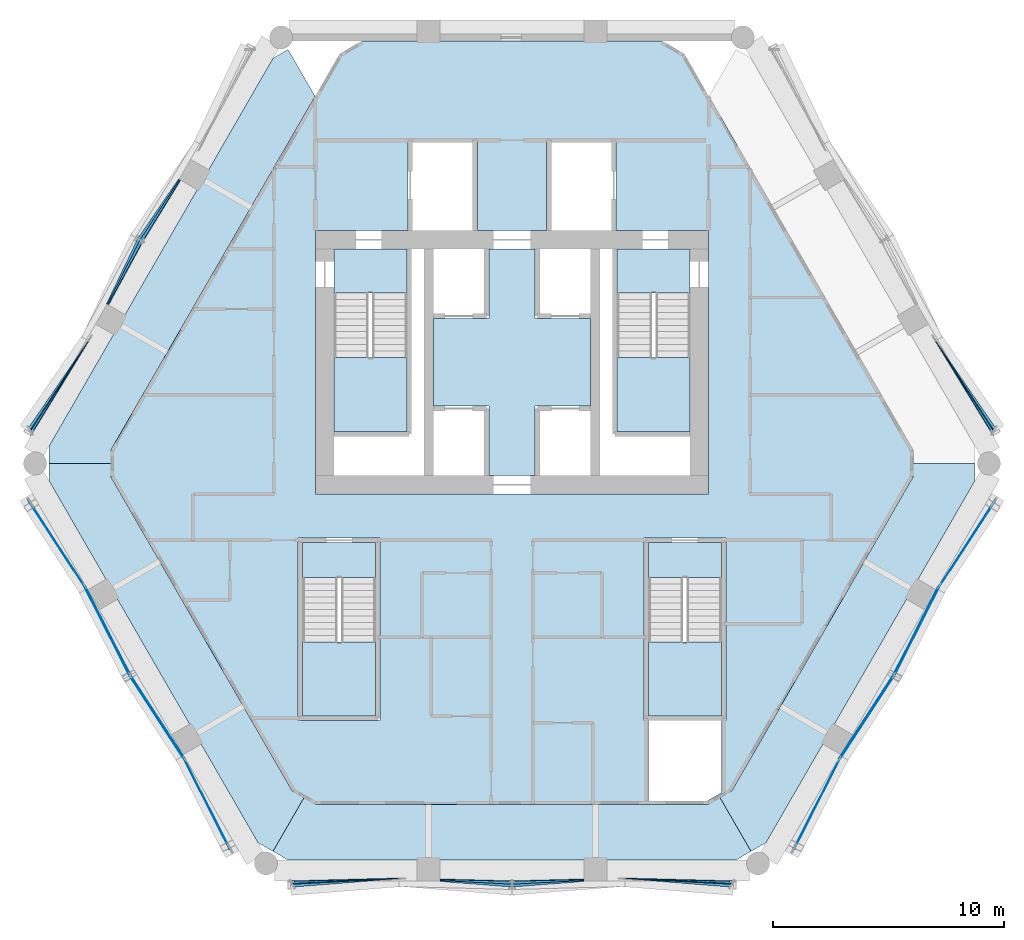
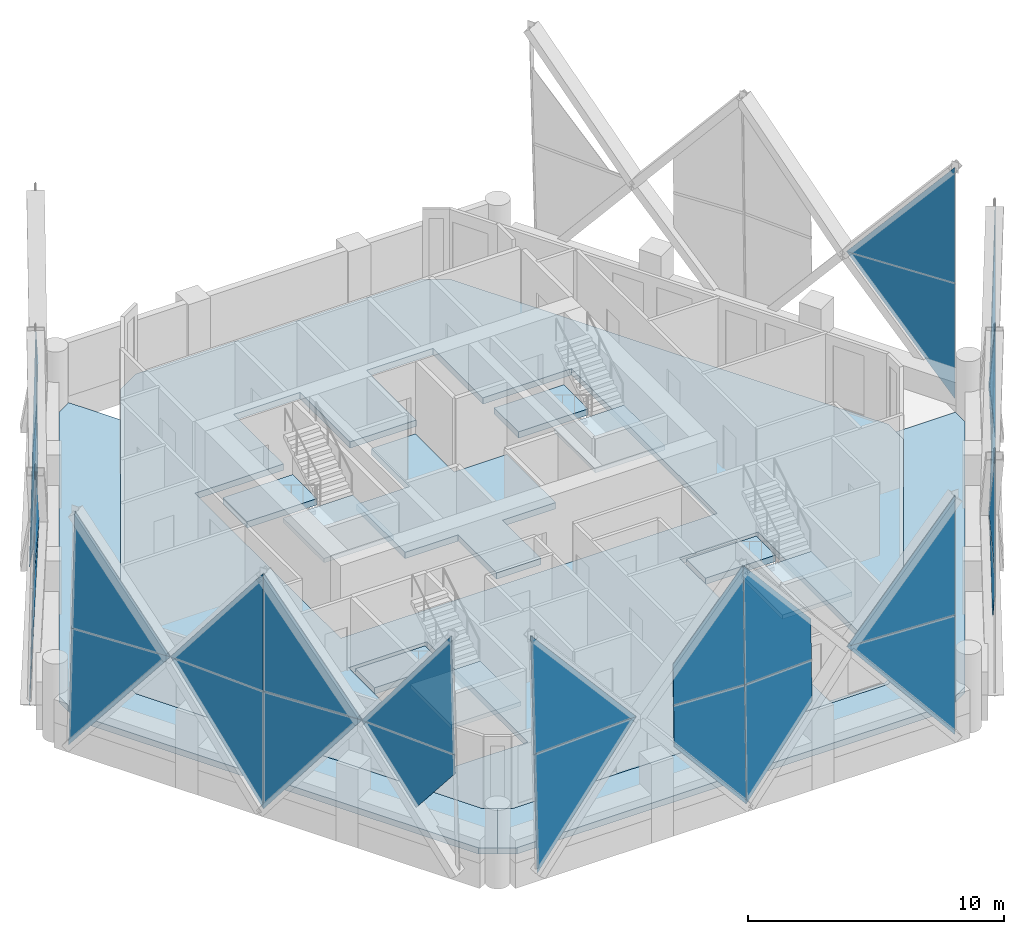
# One storey, part 8 of 18: 32 plates, 14 slabs, 22 elements without a shape of their own.
"""IFC4 building model written with IfcOpenShell, lengths in metres."""

from ifc_helpers import new_model, si_unit, direction, frame, origin, place, context, subcontext, project, spatial, polyline, outline, extrude, material, layer, layer_set, type_object, element, aggregate, save


model = new_model("IFC4")

# Units and contexts
model_context = context("Model", 3, precision=1e-05, world=origin(), true_north=direction((0.0, 1.0)))
body_context = subcontext(model_context, "Body", "Model", "MODEL_VIEW")
ifc_project = project(units=[si_unit("LENGTHUNIT", "METRE"), si_unit("AREAUNIT", "SQUARE_METRE"), si_unit("VOLUMEUNIT", "CUBIC_METRE"), si_unit("PLANEANGLEUNIT", "RADIAN"), si_unit("MASSUNIT", "GRAM", prefix="KILO")], contexts=[model_context])

# Site, building, storey
site_placement = place(None, origin())
site = spatial("IfcSite", under=ifc_project, at=site_placement, CompositionType="ELEMENT")
building_placement = place(site_placement, origin())
building = spatial("IfcBuilding", under=site, at=building_placement, Name="Ostrander Bayou Hotel Tower", CompositionType="ELEMENT")
storey_placement = place(building_placement, frame((0.0, 0.0, 175.75)))
storey = spatial("IfcBuildingStorey", under=building, at=storey_placement, Name="L43", CompositionType="ELEMENT", Elevation=175.75)

# Curtain wall, plate
ifc_material_1 = material(Name="Aluminium and clear glass", Category="aluminium")
curtain_wall_type = type_object("IfcCurtainWallType", Name="CW-LAT lattice glazing", PredefinedType="NOTDEFINED", material=ifc_material_1)
curtain_wall_1_placement = place(storey_placement, origin())
curtain_wall_1 = element("IfcCurtainWall", 1, at=curtain_wall_1_placement, inside=storey, type_object=curtain_wall_type, Name="CW-LAT L43 NW 1", PredefinedType="NOTDEFINED")
ifc_material_2 = material(Name="Clear laminated glass", Category="glass")
ifc_layer_1 = layer(ifc_material_2, 0.028076171875)
ifc_layer_set_1 = layer_set([ifc_layer_1], Name="CW-LA glazing panel 28 mm")
plate_type = type_object("IfcPlateType", Name="CW-LA glazing panel 28 mm", PredefinedType="CURTAIN_PANEL", material=ifc_layer_set_1)
plate_1_placement = place(storey_placement, frame((-14.422119140625, 11.922607421875, 3.085205078125), z_axis=(-0.838697254437, 0.544161384178, 0.021801453393), x_axis=(-0.365776359858, -0.5331962867, -0.762829846309)))
plate_1 = element("IfcPlate", 2, at=plate_1_placement, type_object=plate_type, Name="CW-LAT panel 3", PredefinedType="CURTAIN_PANEL", context=body_context, shape_type="SweptSolid", body=[
    extrude(outline(polyline([(0.0, 0.0), (4.831093711827126, 0.0), (0.5339145409566968, 3.631798718276258), (-1.4796718535850824, 1.2549055686495512), (0.0, 0.0)])), origin(), (0.0, 0.0, -1.0), 0.028076171875),
])

curtain_wall_2_placement = place(storey_placement, origin())
curtain_wall_2 = element("IfcCurtainWall", 3, at=curtain_wall_2_placement, inside=storey, type_object=curtain_wall_type, Name="CW-LAT L43 NW 2", PredefinedType="NOTDEFINED")
plate_2_placement = place(storey_placement, frame((-14.351318359375, 11.8759765625, 6.970703125), z_axis=(-0.838678440724, 0.544191728689, 0.021767762672), x_axis=(-0.337343581448, -0.550442879809, 0.763683143799)))
plate_2 = element("IfcPlate", 4, at=plate_2_placement, type_object=plate_type, Name="CW-LAT panel 4", PredefinedType="CURTAIN_PANEL", context=body_context, shape_type="SweptSolid", body=[
    extrude(outline(polyline([(0.0, 0.0), (4.8177030662212905, -4.440892098500626e-16), (0.5240809133792497, -3.6359961013468416), (-1.4865830380595895, -1.2561881824663583), (0.0, 0.0)])), origin(), (0.0, 0.0, -1.0), 0.028076171875),
])

curtain_wall_3_placement = place(storey_placement, origin())
curtain_wall_3 = element("IfcCurtainWall", 5, at=curtain_wall_3_placement, inside=storey, type_object=curtain_wall_type, Name="CW-LAT L43 NW 3", PredefinedType="NOTDEFINED")
plate_3_placement = place(storey_placement, frame((-17.535888671875, 6.529296875, 3.08447265625), z_axis=(-0.890620174311, 0.454225401847, 0.021794252144), x_axis=(0.278833694601, 0.583325529006, -0.762878167183)))
plate_3 = element("IfcPlate", 6, at=plate_3_placement, type_object=plate_type, Name="CW-LAT panel 5", PredefinedType="CURTAIN_PANEL", context=body_context, shape_type="SweptSolid", body=[
    extrude(outline(polyline([(0.0, 0.0), (4.829829239081901, -8.881784197001252e-16), (0.5325743101683527, -3.631709078484335), (-1.4810786134260479, -1.2543759752823151), (0.0, 0.0)])), origin(), (0.0, 0.0, -1.0), 0.028076171875),
])
aggregate(curtain_wall_3, [plate_3])

curtain_wall_4_placement = place(storey_placement, origin())
curtain_wall_4 = element("IfcCurtainWall", 7, at=curtain_wall_4_placement, inside=storey, type_object=curtain_wall_type, Name="CW-LAT L43 NW 4", PredefinedType="NOTDEFINED")
plate_4_placement = place(storey_placement, frame((-17.461181640625, 6.489501953125, 6.968994140625), z_axis=(-0.890615904453, 0.454234223825, 0.02178487187), x_axis=(0.308041651093, 0.567350207455, 0.763691091537)))
plate_4 = element("IfcPlate", 8, at=plate_4_placement, type_object=plate_type, Name="CW-LAT panel 6", PredefinedType="CURTAIN_PANEL", context=body_context, shape_type="SweptSolid", body=[
    extrude(outline(polyline([(0.0, 0.0), (4.819888071557691, 4.440892098500626e-16), (0.5261781191225632, 3.63589241741572), (-1.484695426589405, 1.2557779628569083), (0.0, 0.0)])), origin(), (0.0, 0.0, -1.0), 0.028076171875),
])
aggregate(curtain_wall_4, [plate_4])

# Plate
plate_5_placement = place(storey_placement, frame((-18.245361328125, 5.04541015625, 5.02490234375), z_axis=(-0.838672071395, 0.544175360541, 0.022412800855), x_axis=(-0.363195696727, -0.528136248414, -0.767568230837)))
plate_5 = element("IfcPlate", 9, at=plate_5_placement, type_object=plate_type, Name="CW-LAT panel 7", PredefinedType="CURTAIN_PANEL", context=body_context, shape_type="SweptSolid", body=[
    extrude(outline(polyline([(0.0, 0.0), (7.328338737868253, -8.881784197001252e-16), (3.049780536249096, 3.654394351309808), (0.0, 0.0)])), origin(), (0.0, 0.0, -1.0), 0.028076171875),
])

aggregate(curtain_wall_1, [plate_1, plate_5])

plate_6_placement = place(storey_placement, frame((-18.245361328125, 5.04541015625, 5.02490234375), z_axis=(-0.838671627201, 0.544175072324, 0.022436407694), x_axis=(-0.340014889443, -0.555315927749, 0.758955924507)))
plate_6 = element("IfcPlate", 10, at=plate_6_placement, type_object=plate_type, Name="CW-LAT panel 8", PredefinedType="CURTAIN_PANEL", context=body_context, shape_type="SweptSolid", body=[
    extrude(outline(polyline([(0.0, 0.0), (7.411497582881008, 0.0), (3.0982495129663206, -3.6133930521841675), (0.0, 0.0)])), origin(), (0.0, 0.0, -1.0), 0.028076171875),
])

aggregate(curtain_wall_2, [plate_2, plate_6])

# Curtain wall, plate
curtain_wall_5_placement = place(storey_placement, origin())
curtain_wall_5 = element("IfcCurtainWall", 11, at=curtain_wall_5_placement, inside=storey, type_object=curtain_wall_type, Name="CW-LAT L43 SW 3", PredefinedType="NOTDEFINED")
plate_7_placement = place(storey_placement, frame((-18.476318359375, -5.677734375, 5.02490234375), z_axis=(0.83821206628, 0.54534279011, 0.001331622457), x_axis=(-0.338345530003, 0.521961530265, -0.782993271523)))
plate_7 = element("IfcPlate", 12, at=plate_7_placement, type_object=plate_type, Name="CW-LAT panel 1", PredefinedType="CURTAIN_PANEL", context=body_context, shape_type="SweptSolid", body=[
    extrude(outline(polyline([(0.0, 0.0), (7.1839697792826325, -4.440892098500626e-16), (2.6917066279703885, 3.388248830722115), (0.0, 0.0)])), origin(), (0.0, 0.0, -1.0), 0.028076171875),
])

curtain_wall_6_placement = place(storey_placement, origin())
curtain_wall_6 = element("IfcCurtainWall", 13, at=curtain_wall_6_placement, inside=storey, type_object=curtain_wall_type, Name="CW-LAT L43 SW 4", PredefinedType="NOTDEFINED")
plate_8_placement = place(storey_placement, frame((-18.476318359375, -5.677734375, 5.02490234375), z_axis=(0.838212039626, 0.545342772768, 0.001355291806), x_axis=(-0.326472312106, 0.499806267914, 0.802252780601)))
plate_8 = element("IfcPlate", 14, at=plate_8_placement, type_object=plate_type, Name="CW-LAT panel 2", PredefinedType="CURTAIN_PANEL", context=body_context, shape_type="SweptSolid", body=[
    extrude(outline(polyline([(0.0, 0.0), (7.011505769773077, 0.0), (2.583325950003996, -3.4715906650965414), (0.0, 0.0)])), origin(), (0.0, 0.0, -1.0), 0.028076171875),
])

curtain_wall_7_placement = place(storey_placement, origin())
curtain_wall_7 = element("IfcCurtainWall", 15, at=curtain_wall_7_placement, inside=storey, type_object=curtain_wall_type, Name="CW-LAT L43 SW 1", PredefinedType="NOTDEFINED")
plate_9_placement = place(storey_placement, frame((-18.476318359375, -5.677734375, 5.02490234375), z_axis=(-0.891394016233, -0.453229200101, 0.0), x_axis=(0.276347020175, -0.543508847473, -0.792609902259)))
plate_9 = element("IfcPlate", 16, at=plate_9_placement, type_object=plate_type, Name="CW-LAT panel 3", PredefinedType="CURTAIN_PANEL", context=body_context, shape_type="SweptSolid", body=[
    extrude(outline(polyline([(0.0, 0.0), (7.096807627524, 0.0), (2.6383769273192836, 3.4297260373785075), (0.0, 0.0)])), origin(), (0.0, 0.0, -1.0), 0.028076171875),
])

curtain_wall_8_placement = place(storey_placement, origin())
curtain_wall_8 = element("IfcCurtainWall", 17, at=curtain_wall_8_placement, inside=storey, type_object=curtain_wall_type, Name="CW-LAT L43 SW 2", PredefinedType="NOTDEFINED")
plate_10_placement = place(storey_placement, frame((-18.476318359375, -5.677734375, 5.02490234375), z_axis=(0.891394016233, 0.453229200101, 0.0), x_axis=(0.276347020175, -0.543508847473, 0.792609902259)))
plate_10 = element("IfcPlate", 18, at=plate_10_placement, type_object=plate_type, Name="CW-LAT panel 4", PredefinedType="CURTAIN_PANEL", context=body_context, shape_type="SweptSolid", body=[
    extrude(outline(polyline([(0.0, 0.0), (7.096807627524, 0.0), (2.6383769273192836, 3.4297260373785075), (0.0, 0.0)])), origin(), (0.0, 0.0, -1.0), 0.028076171875),
])

# Plate
plate_11_placement = place(storey_placement, frame((-14.1552734375, -13.162109375, 5.02490234375), z_axis=(0.838212809447, 0.545343273616, 0.0), x_axis=(-0.332519799468, 0.51109524733, -0.792598404691)))
plate_11 = element("IfcPlate", 19, at=plate_11_placement, type_object=plate_type, Name="CW-LAT panel 5", PredefinedType="CURTAIN_PANEL", context=body_context, shape_type="SweptSolid", body=[
    extrude(outline(polyline([(0.0, 0.0), (7.096910575028369, -4.440892098500626e-16), (2.6385445486432157, 3.429810107684485), (0.0, 0.0)])), origin(), (0.0, 0.0, -1.0), 0.028076171875),
])

aggregate(curtain_wall_5, [plate_7, plate_11])

plate_12_placement = place(storey_placement, frame((-14.1552734375, -13.162109375, 5.02490234375), z_axis=(-0.838212809447, -0.545343273616, 0.0), x_axis=(-0.332519799468, 0.51109524733, 0.792598404691)))
plate_12 = element("IfcPlate", 20, at=plate_12_placement, type_object=plate_type, Name="CW-LAT panel 6", PredefinedType="CURTAIN_PANEL", context=body_context, shape_type="SweptSolid", body=[
    extrude(outline(polyline([(0.0, 0.0), (7.096910575028369, -4.440892098500626e-16), (2.6385445486432157, 3.429810107684485), (0.0, 0.0)])), origin(), (0.0, 0.0, -1.0), 0.028076171875),
])

aggregate(curtain_wall_6, [plate_8, plate_12])

plate_13_placement = place(storey_placement, frame((-14.1552734375, -13.162109375, 5.02490234375), z_axis=(0.891386966787, 0.45324107013, 0.001344540698), x_axis=(0.45324147979, -0.89138777252, 1.8522e-08)))
plate_13 = element("IfcPlate", 21, at=plate_13_placement, type_object=plate_type, Name="CW-LAT panel 7", PredefinedType="CURTAIN_PANEL", context=body_context, shape_type="SweptSolid", body=[
    extrude(outline(polyline([(0.0, 0.0), (4.327129937791268, 0.0), (4.349958231514912, 0.8967294067454266), (2.541648522806104, 3.1992216086901086), (0.0, 0.0)])), origin(), (0.0, 0.0, -1.0), 0.028076171875),
])

aggregate(curtain_wall_7, [plate_9, plate_13])

plate_14_placement = place(storey_placement, frame((-14.1552734375, -13.162109375, 5.02490234375), z_axis=(0.891393233656, 0.4532288022, 0.001325084646), x_axis=(0.269615344054, -0.532614787893, 0.802264952474)))
plate_14 = element("IfcPlate", 22, at=plate_14_placement, type_object=plate_type, Name="CW-LAT panel 8", PredefinedType="CURTAIN_PANEL", context=body_context, shape_type="SweptSolid", body=[
    extrude(outline(polyline([(0.0, 0.0), (7.011399391998459, 0.0), (2.5831545636483098, 3.4715077419452403), (0.0, 0.0)])), origin(), (0.0, 0.0, -1.0), 0.028076171875),
])

aggregate(curtain_wall_8, [plate_10, plate_14])

# Curtain wall, plate
curtain_wall_9_placement = place(storey_placement, origin())
curtain_wall_9 = element("IfcCurtainWall", 23, at=curtain_wall_9_placement, inside=storey, type_object=curtain_wall_type, Name="CW-LAT L43 S 3", PredefinedType="NOTDEFINED")
plate_15_placement = place(storey_placement, frame((-4.75341796875, -18.323486328125, 5.02490234375), z_axis=(0.051948049226, -0.998397404133, 0.022450469989), x_axis=(-0.638954384718, -0.050506014246, -0.767584807545)))
plate_15 = element("IfcPlate", 24, at=plate_15_placement, type_object=plate_type, Name="CW-LAT panel 1", PredefinedType="CURTAIN_PANEL", context=body_context, shape_type="SweptSolid", body=[
    extrude(outline(polyline([(0.0, 0.0), (7.328180475574027, -4.440892098500626e-16), (3.0495521261015837, -3.6543204168882477), (0.0, 0.0)])), origin(), (0.0, 0.0, -1.0), 0.028076171875),
])

curtain_wall_10_placement = place(storey_placement, origin())
curtain_wall_10 = element("IfcCurtainWall", 25, at=curtain_wall_10_placement, inside=storey, type_object=curtain_wall_type, Name="CW-LAT L43 S 4", PredefinedType="NOTDEFINED")
plate_16_placement = place(storey_placement, frame((-4.75341796875, -18.323486328125, 5.02490234375), z_axis=(0.051948046597, -0.998397353592, 0.022452723542), x_axis=(-0.650916524871, -0.016799971037, 0.75896339742)))
plate_16 = element("IfcPlate", 26, at=plate_16_placement, type_object=plate_type, Name="CW-LAT panel 2", PredefinedType="CURTAIN_PANEL", context=body_context, shape_type="SweptSolid", body=[
    extrude(outline(polyline([(0.0, 0.0), (7.411424607722704, 0.0), (3.0980742659588953, 3.6132757605392136), (0.0, 0.0)])), origin(), (0.0, 0.0, -1.0), 0.028076171875),
])

curtain_wall_11_placement = place(storey_placement, origin())
curtain_wall_11 = element("IfcCurtainWall", 27, at=curtain_wall_11_placement, inside=storey, type_object=curtain_wall_type, Name="CW-LAT L43 S 1", PredefinedType="NOTDEFINED")
plate_17_placement = place(storey_placement, frame((-3.113525390625, -18.451171875, 3.08447265625), z_axis=(-0.051944743086, -0.998412092628, 0.021795342626), x_axis=(0.644622719125, -0.050191070053, -0.762851497)))
plate_17 = element("IfcPlate", 28, at=plate_17_placement, type_object=plate_type, Name="CW-LAT panel 3", PredefinedType="CURTAIN_PANEL", context=body_context, shape_type="SweptSolid", body=[
    extrude(outline(polyline([(0.0, 0.0), (4.829997085518711, 4.440892098500626e-16), (0.5327938142518363, 3.6317694801437295), (-1.4809631710938576, 1.2545135285459812), (0.0, 0.0)])), origin(), (0.0, 0.0, -1.0), 0.028076171875),
])

curtain_wall_12_placement = place(storey_placement, origin())
curtain_wall_12 = element("IfcCurtainWall", 29, at=curtain_wall_12_placement, inside=storey, type_object=curtain_wall_type, Name="CW-LAT L43 S 2", PredefinedType="NOTDEFINED")
plate_18_placement = place(storey_placement, frame((-3.110595703125, -18.36669921875, 6.968994140625), z_axis=(-0.051899802868, -0.998414804955, 0.021778147507), x_axis=(0.645363160478, -0.016889258243, 0.763689167171)))
plate_18 = element("IfcPlate", 30, at=plate_18_placement, type_object=plate_type, Name="CW-LAT panel 4", PredefinedType="CURTAIN_PANEL", context=body_context, shape_type="SweptSolid", body=[
    extrude(outline(polyline([(0.0, 0.0), (4.819906670917352, 4.440892098500626e-16), (0.5262291526739247, -3.63593713774969), (-1.4847563018333814, -1.2556978239762933), (0.0, 0.0)])), origin(), (0.0, 0.0, -1.0), 0.028076171875),
])

# Plate
plate_19_placement = place(storey_placement, frame((3.1142578125, -18.451171875, 3.085205078125), z_axis=(0.051932910561, -0.998412515586, 0.02180416293), x_axis=(-0.644636241797, -0.050190602933, -0.762840100636)))
plate_19 = element("IfcPlate", 31, at=plate_19_placement, type_object=plate_type, Name="CW-LAT panel 5", PredefinedType="CURTAIN_PANEL", context=body_context, shape_type="SweptSolid", body=[
    extrude(outline(polyline([(0.0, 0.0), (4.83102795121644, 0.0), (0.5338888418579075, -3.631845396591186), (-1.4797527594527287, -1.2548112336574089), (0.0, 0.0)])), origin(), (0.0, 0.0, -1.0), 0.028076171875),
])

aggregate(curtain_wall_9, [plate_15, plate_19])

plate_20_placement = place(storey_placement, frame((3.109130859375, -18.36669921875, 6.970703125), z_axis=(0.051911136589, -0.998414177169, 0.02177991564), x_axis=(-0.645360681756, -0.016895070631, 0.763691133268)))
plate_20 = element("IfcPlate", 32, at=plate_20_placement, type_object=plate_type, Name="CW-LAT panel 6", PredefinedType="CURTAIN_PANEL", context=body_context, shape_type="SweptSolid", body=[
    extrude(outline(polyline([(0.0, 0.0), (4.817656181403324, 0.0), (0.5239683176424226, 3.635924920973059), (-1.4866952468412291, 1.2560520090796938), (0.0, 0.0)])), origin(), (0.0, 0.0, -1.0), 0.028076171875),
])

aggregate(curtain_wall_10, [plate_16, plate_20])

plate_21_placement = place(storey_placement, frame((4.75341796875, -18.323486328125, 5.02490234375), z_axis=(-0.051948049226, -0.998397404133, 0.022450469989), x_axis=(0.638954384718, -0.050506014246, -0.767584807545)))
plate_21 = element("IfcPlate", 33, at=plate_21_placement, type_object=plate_type, Name="CW-LAT panel 7", PredefinedType="CURTAIN_PANEL", context=body_context, shape_type="SweptSolid", body=[
    extrude(outline(polyline([(0.0, 0.0), (7.328180475574027, 4.440892098500626e-16), (3.0495521261015837, 3.6543204168882477), (0.0, 0.0)])), origin(), (0.0, 0.0, -1.0), 0.028076171875),
])

aggregate(curtain_wall_11, [plate_17, plate_21])

plate_22_placement = place(storey_placement, frame((4.75341796875, -18.323486328125, 5.02490234375), z_axis=(-0.051948046597, -0.998397353592, 0.022452723542), x_axis=(0.650916524871, -0.016799971037, 0.75896339742)))
plate_22 = element("IfcPlate", 34, at=plate_22_placement, type_object=plate_type, Name="CW-LAT panel 8", PredefinedType="CURTAIN_PANEL", context=body_context, shape_type="SweptSolid", body=[
    extrude(outline(polyline([(0.0, 0.0), (7.411424607722704, 0.0), (3.0980742659588953, -3.6132757605392136), (0.0, 0.0)])), origin(), (0.0, 0.0, -1.0), 0.028076171875),
])

aggregate(curtain_wall_12, [plate_18, plate_22])

# Curtain wall, plate
curtain_wall_13_placement = place(storey_placement, origin())
curtain_wall_13 = element("IfcCurtainWall", 35, at=curtain_wall_13_placement, inside=storey, type_object=curtain_wall_type, Name="CW-LAT L43 SE 3", PredefinedType="NOTDEFINED")
plate_23_placement = place(storey_placement, frame((12.99951171875, -15.42578125, 1.82568359375), z_axis=(-0.891386966787, 0.45324107013, 0.001344540698), x_axis=(-0.279004032721, -0.551048851254, 0.786448926032)))
plate_23 = element("IfcPlate", 36, at=plate_23_placement, type_object=plate_type, Name="CW-LAT panel 1", PredefinedType="CURTAIN_PANEL", context=body_context, shape_type="SweptSolid", body=[
    extrude(outline(polyline([(0.0, 0.0), (2.927704620112248, 0.0), (3.618837129591475, 0.5718221876224145), (0.9461661833494703, 3.9748919065149524), (0.0, 0.0)])), origin(), (0.0, 0.0, -1.0), 0.028076171875),
])

curtain_wall_14_placement = place(storey_placement, origin())
curtain_wall_14 = element("IfcCurtainWall", 37, at=curtain_wall_14_placement, inside=storey, type_object=curtain_wall_type, Name="CW-LAT L43 SE 4", PredefinedType="NOTDEFINED")
plate_24_placement = place(storey_placement, frame((14.1552734375, -13.162109375, 5.02490234375), z_axis=(-0.891393233656, 0.4532288022, 0.001325084646), x_axis=(-0.269615344054, -0.532614787893, 0.802264952474)))
plate_24 = element("IfcPlate", 38, at=plate_24_placement, type_object=plate_type, Name="CW-LAT panel 2", PredefinedType="CURTAIN_PANEL", context=body_context, shape_type="SweptSolid", body=[
    extrude(outline(polyline([(0.0, 0.0), (7.011399391998459, 0.0), (2.5831545636483098, -3.4715077419452403), (0.0, 0.0)])), origin(), (0.0, 0.0, -1.0), 0.028076171875),
])

curtain_wall_15_placement = place(storey_placement, origin())
curtain_wall_15 = element("IfcCurtainWall", 39, at=curtain_wall_15_placement, inside=storey, type_object=curtain_wall_type, Name="CW-LAT L43 SE 1", PredefinedType="NOTDEFINED")
plate_25_placement = place(storey_placement, frame((14.1552734375, -13.162109375, 5.02490234375), z_axis=(0.838212809447, -0.545343273616, 0.0), x_axis=(0.332519799468, 0.51109524733, -0.792598404691)))
plate_25 = element("IfcPlate", 40, at=plate_25_placement, type_object=plate_type, Name="CW-LAT panel 3", PredefinedType="CURTAIN_PANEL", context=body_context, shape_type="SweptSolid", body=[
    extrude(outline(polyline([(0.0, 0.0), (7.096910575028369, -4.440892098500626e-16), (2.6385445486432157, 3.429810107684485), (0.0, 0.0)])), origin(), (0.0, 0.0, -1.0), 0.028076171875),
])

curtain_wall_16_placement = place(storey_placement, origin())
curtain_wall_16 = element("IfcCurtainWall", 41, at=curtain_wall_16_placement, inside=storey, type_object=curtain_wall_type, Name="CW-LAT L43 SE 2", PredefinedType="NOTDEFINED")
plate_26_placement = place(storey_placement, frame((14.1552734375, -13.162109375, 5.02490234375), z_axis=(-0.838212809447, 0.545343273616, 0.0), x_axis=(0.332519799468, 0.51109524733, 0.792598404691)))
plate_26 = element("IfcPlate", 42, at=plate_26_placement, type_object=plate_type, Name="CW-LAT panel 4", PredefinedType="CURTAIN_PANEL", context=body_context, shape_type="SweptSolid", body=[
    extrude(outline(polyline([(0.0, 0.0), (7.096910575028369, -4.440892098500626e-16), (2.6385445486432157, 3.429810107684485), (0.0, 0.0)])), origin(), (0.0, 0.0, -1.0), 0.028076171875),
])

# Plate
plate_27_placement = place(storey_placement, frame((18.476318359375, -5.677734375, 5.02490234375), z_axis=(-0.891394016233, 0.453229200101, 0.0), x_axis=(-0.276347020175, -0.543508847473, -0.792609902259)))
plate_27 = element("IfcPlate", 43, at=plate_27_placement, type_object=plate_type, Name="CW-LAT panel 5", PredefinedType="CURTAIN_PANEL", context=body_context, shape_type="SweptSolid", body=[
    extrude(outline(polyline([(0.0, 0.0), (7.096807627524, 0.0), (2.6383769273192836, 3.4297260373785075), (0.0, 0.0)])), origin(), (0.0, 0.0, -1.0), 0.028076171875),
])

aggregate(curtain_wall_13, [plate_23, plate_27])

plate_28_placement = place(storey_placement, frame((18.476318359375, -5.677734375, 5.02490234375), z_axis=(0.891394016233, -0.453229200101, 0.0), x_axis=(-0.276347020175, -0.543508847473, 0.792609902259)))
plate_28 = element("IfcPlate", 44, at=plate_28_placement, type_object=plate_type, Name="CW-LAT panel 6", PredefinedType="CURTAIN_PANEL", context=body_context, shape_type="SweptSolid", body=[
    extrude(outline(polyline([(0.0, 0.0), (7.096807627524, 0.0), (2.6383769273192836, 3.4297260373785075), (0.0, 0.0)])), origin(), (0.0, 0.0, -1.0), 0.028076171875),
])

aggregate(curtain_wall_14, [plate_24, plate_28])

plate_29_placement = place(storey_placement, frame((18.476318359375, -5.677734375, 5.02490234375), z_axis=(-0.83821206628, 0.54534279011, 0.001331622457), x_axis=(0.338345530003, 0.521961530265, -0.782993271523)))
plate_29 = element("IfcPlate", 45, at=plate_29_placement, type_object=plate_type, Name="CW-LAT panel 7", PredefinedType="CURTAIN_PANEL", context=body_context, shape_type="SweptSolid", body=[
    extrude(outline(polyline([(0.0, 0.0), (7.1839697792826325, 4.440892098500626e-16), (2.6917066279703885, -3.388248830722115), (0.0, 0.0)])), origin(), (0.0, 0.0, -1.0), 0.028076171875),
])

aggregate(curtain_wall_15, [plate_25, plate_29])

plate_30_placement = place(storey_placement, frame((18.476318359375, -5.677734375, 5.02490234375), z_axis=(-0.838212039626, 0.545342772768, 0.001355291806), x_axis=(0.326472312106, 0.499806267914, 0.802252780601)))
plate_30 = element("IfcPlate", 46, at=plate_30_placement, type_object=plate_type, Name="CW-LAT panel 8", PredefinedType="CURTAIN_PANEL", context=body_context, shape_type="SweptSolid", body=[
    extrude(outline(polyline([(0.0, 0.0), (7.011505769773077, 0.0), (2.583325950003996, 3.4715906650965414), (0.0, 0.0)])), origin(), (0.0, 0.0, -1.0), 0.028076171875),
])

aggregate(curtain_wall_16, [plate_26, plate_30])

# Curtain wall, plate
curtain_wall_17_placement = place(storey_placement, origin())
curtain_wall_17 = element("IfcCurtainWall", 47, at=curtain_wall_17_placement, inside=storey, type_object=curtain_wall_type, Name="CW-LAT L43 NE 3", PredefinedType="NOTDEFINED")
plate_31_placement = place(storey_placement, frame((18.245361328125, 5.04541015625, 5.02490234375), z_axis=(0.838672071395, 0.544175360541, 0.022412800855), x_axis=(0.363195696727, -0.528136248414, -0.767568230837)))
plate_31 = element("IfcPlate", 48, at=plate_31_placement, type_object=plate_type, Name="CW-LAT panel 1", PredefinedType="CURTAIN_PANEL", context=body_context, shape_type="SweptSolid", body=[
    extrude(outline(polyline([(0.0, 0.0), (7.328338737868253, 8.881784197001252e-16), (3.049780536249096, -3.654394351309808), (0.0, 0.0)])), origin(), (0.0, 0.0, -1.0), 0.028076171875),
])
aggregate(curtain_wall_17, [plate_31])

curtain_wall_18_placement = place(storey_placement, origin())
curtain_wall_18 = element("IfcCurtainWall", 49, at=curtain_wall_18_placement, inside=storey, type_object=curtain_wall_type, Name="CW-LAT L43 NE 4", PredefinedType="NOTDEFINED")
plate_32_placement = place(storey_placement, frame((18.245361328125, 5.04541015625, 5.02490234375), z_axis=(0.838671627201, 0.544175072324, 0.022436407694), x_axis=(0.340014889443, -0.555315927749, 0.758955924507)))
plate_32 = element("IfcPlate", 50, at=plate_32_placement, type_object=plate_type, Name="CW-LAT panel 2", PredefinedType="CURTAIN_PANEL", context=body_context, shape_type="SweptSolid", body=[
    extrude(outline(polyline([(0.0, 0.0), (7.411497582881008, 0.0), (3.0982495129663206, 3.6133930521841675), (0.0, 0.0)])), origin(), (0.0, 0.0, -1.0), 0.028076171875),
])
aggregate(curtain_wall_18, [plate_32])

# Slabs
ifc_material_3 = material(Name="Concrete f'c 40 MPa", Category="concrete")
ifc_layer_2 = layer(ifc_material_3, 0.300048828125)
ifc_layer_set_2 = layer_set([ifc_layer_2], Name="SL1 floor slab 300 mm f'c 40 MPa")
slab_type_1 = type_object("IfcSlabType", Name="SL1 floor slab 300 mm f'c 40 MPa", PredefinedType="FLOOR", material=ifc_layer_set_2)
slab_1_placement = place(storey_placement, frame((0.0, 0.0, -0.300048828125)))
element("IfcSlab", 51, at=slab_1_placement, inside=storey, type_object=slab_type_1, Name="SL1 L43 1", PredefinedType="FLOOR", context=body_context, shape_type="SweptSolid", body=[
    extrude(outline(polyline([(7.47509765625, 17.300048828125), (17.333984375, 0.2236328125), (17.333984375, -0.976318359375), (9.5126953125, -14.523681640625), (8.473388671875, -15.12353515625), (-8.473388671875, -15.12353515625), (-9.5126953125, -14.523681640625), (-17.333984375, -0.976318359375), (-17.333984375, 0.2236328125), (-7.47509765625, 17.300048828125), (-6.435791015625, 17.89990234375), (6.435791015625, 17.89990234375), (7.47509765625, 17.300048828125)]), holes=[polyline([(9.050048828125, -11.5), (9.25, -11.5), (9.25, -3.60009765625), (5.699951171875, -3.60009765625), (5.699951171875, -11.5), (5.89990234375, -11.5), (5.89990234375, -14.9736328125), (8.43310546875, -14.9736328125), (9.050048828125, -14.617431640625), (9.050048828125, -11.5)]), polyline([(-8.5, -1.699951171875), (8.5, -1.699951171875), (8.5, 9.699951171875), (4.5, 9.699951171875), (4.5, 13.60009765625), (1.5, 13.60009765625), (1.5, 9.699951171875), (-1.5, 9.699951171875), (-1.5, 13.60009765625), (-4.5, 13.60009765625), (-4.5, 9.699951171875), (-8.5, 9.699951171875), (-8.5, -1.699951171875)]), polyline([(-5.699951171875, -3.60009765625), (-9.25, -3.60009765625), (-9.25, -11.5), (-5.699951171875, -11.5), (-5.699951171875, -3.60009765625)])]), origin(), (0.0, 0.0, 1.0), 0.300048828125),
])
slab_2_placement = place(storey_placement, frame((0.0, 0.0, -0.300048828125)))
element("IfcSlab", 52, at=slab_2_placement, inside=storey, type_object=slab_type_1, Name="cslab:L43:001", PredefinedType="FLOOR", context=body_context, shape_type="SweptSolid", body=[
    extrude(outline(polyline([(-3.39990234375, 5.89990234375), (-1.0, 5.89990234375), (-1.0, 8.89990234375), (1.0, 8.89990234375), (1.0, 5.89990234375), (3.39990234375, 5.89990234375), (3.39990234375, 2.10009765625), (1.0, 2.10009765625), (1.0, -0.89990234375), (-1.0, -0.89990234375), (-1.0, 2.10009765625), (-3.39990234375, 2.10009765625), (-3.39990234375, 5.89990234375)])), origin(), (0.0, 0.0, 1.0), 0.300048828125),
])
slab_3_placement = place(storey_placement, frame((0.0, 0.0, -0.300048828125)))
element("IfcSlab", 53, at=slab_3_placement, inside=storey, type_object=slab_type_1, Name="cslab:L43:002", PredefinedType="FLOOR", context=body_context, shape_type="SweptSolid", body=[
    extrude(outline(polyline([(-4.550048828125, 7.0), (-4.550048828125, 8.89990234375), (-7.699951171875, 8.89990234375), (-7.699951171875, 7.0), (-4.550048828125, 7.0)])), origin(), (0.0, 0.0, 1.0), 0.300048828125),
])
slab_4_placement = place(storey_placement, frame((0.0, 0.0, -0.300048828125)))
element("IfcSlab", 54, at=slab_4_placement, inside=storey, type_object=slab_type_1, Name="cslab:L43:003", PredefinedType="FLOOR", context=body_context, shape_type="SweptSolid", body=[
    extrude(outline(polyline([(7.699951171875, 7.0), (7.699951171875, 8.89990234375), (4.550048828125, 8.89990234375), (4.550048828125, 7.0), (7.699951171875, 7.0)])), origin(), (0.0, 0.0, 1.0), 0.300048828125),
])
slab_5_placement = place(storey_placement, frame((0.0, 0.0, -0.300048828125)))
element("IfcSlab", 55, at=slab_5_placement, inside=storey, type_object=slab_type_1, Name="cslab:L43:004", PredefinedType="FLOOR", context=body_context, shape_type="SweptSolid", body=[
    extrude(outline(polyline([(9.050048828125, -5.300048828125), (9.050048828125, -3.800048828125), (5.89990234375, -3.800048828125), (5.89990234375, -5.300048828125), (9.050048828125, -5.300048828125)])), origin(), (0.0, 0.0, 1.0), 0.300048828125),
])
slab_6_placement = place(storey_placement, frame((0.0, 0.0, -0.300048828125)))
element("IfcSlab", 56, at=slab_6_placement, inside=storey, type_object=slab_type_1, Name="cslab:L43:005", PredefinedType="FLOOR", context=body_context, shape_type="SweptSolid", body=[
    extrude(outline(polyline([(-5.89990234375, -5.300048828125), (-5.89990234375, -3.800048828125), (-9.050048828125, -3.800048828125), (-9.050048828125, -5.300048828125), (-5.89990234375, -5.300048828125)])), origin(), (0.0, 0.0, 1.0), 0.300048828125),
])
ifc_material_4 = material(Name="Concrete f'c 40 MPa", Category="concrete")
ifc_layer_3 = layer(ifc_material_4, 0.300048828125)
ifc_layer_set_3 = layer_set([ifc_layer_3], Name="SL4 loggia slab 300 mm f'c 40 MPa")
slab_type_2 = type_object("IfcSlabType", Name="SL4 loggia slab 300 mm f'c 40 MPa", PredefinedType="FLOOR", material=ifc_layer_set_3)
slab_7_placement = place(storey_placement, frame((0.0, 0.0, -0.300048828125)))
element("IfcSlab", 57, at=slab_7_placement, inside=storey, type_object=slab_type_2, Name="SL4 LOGGIA L43 NW 1", PredefinedType="FLOOR", context=body_context, shape_type="SweptSolid", body=[
    extrude(outline(polyline([(-20.018798828125, -0.37646484375), (-20.018798828125, 0.37353515625), (-11.14599609375, 15.74169921875), (-10.3330078125, 17.14990234375), (-9.683349609375, 17.52490234375), (-8.514404296875, 15.5), (-17.333984375, 0.2236328125), (-17.333984375, -0.37646484375), (-20.018798828125, -0.37646484375)])), origin(), (0.0, 0.0, 1.0), 0.300048828125),
])
slab_8_placement = place(storey_placement, frame((0.0, 0.0, -0.300048828125)))
element("IfcSlab", 58, at=slab_8_placement, inside=storey, type_object=slab_type_2, Name="SL4 LOGGIA L43 SW 1", PredefinedType="FLOOR", context=body_context, shape_type="SweptSolid", body=[
    extrude(outline(polyline([(-8.992919921875, -14.823486328125), (-10.33544921875, -17.148681640625), (-10.98486328125, -16.773681640625), (-20.018798828125, -1.12646484375), (-20.018798828125, -0.37646484375), (-17.333984375, -0.37646484375), (-17.333984375, -0.976318359375), (-9.5126953125, -14.523681640625), (-8.992919921875, -14.823486328125)])), origin(), (0.0, 0.0, 1.0), 0.300048828125),
])
slab_9_placement = place(storey_placement, frame((0.0, 0.0, -0.300048828125)))
element("IfcSlab", 59, at=slab_9_placement, inside=storey, type_object=slab_type_2, Name="SL4 LOGGIA L43 S 1", PredefinedType="FLOOR", context=body_context, shape_type="SweptSolid", body=[
    extrude(outline(polyline([(8.992919921875, -14.823486328125), (10.33544921875, -17.148681640625), (9.685791015625, -17.523681640625), (4.088134765625, -17.523681640625), (3.148193359375, -17.523681640625), (0.0, -17.523681640625), (-9.685791015625, -17.523681640625), (-10.33544921875, -17.148681640625), (-8.992919921875, -14.823486328125), (-8.473388671875, -15.12353515625), (8.473388671875, -15.12353515625), (8.992919921875, -14.823486328125)])), origin(), (0.0, 0.0, 1.0), 0.300048828125),
])
slab_10_placement = place(storey_placement, frame((0.0, 0.0, -0.300048828125)))
element("IfcSlab", 60, at=slab_10_placement, inside=storey, type_object=slab_type_2, Name="SL4 LOGGIA L43 SE 1", PredefinedType="FLOOR", context=body_context, shape_type="SweptSolid", body=[
    extrude(outline(polyline([(17.333984375, -0.37646484375), (20.018798828125, -0.37646484375), (20.018798828125, -1.12646484375), (18.85888671875, -3.135498046875), (17.5458984375, -5.40966796875), (17.075927734375, -6.2236328125), (13.927734375, -11.67626953125), (13.457763671875, -12.490478515625), (10.98486328125, -16.773681640625), (10.33544921875, -17.148681640625), (8.992919921875, -14.823486328125), (9.5126953125, -14.523681640625), (17.333984375, -0.976318359375), (17.333984375, -0.37646484375)])), origin(), (0.0, 0.0, 1.0), 0.300048828125),
])

# Stair, slab
ifc_material_5 = material(Name="Concrete f'c 45 MPa", Category="concrete")
stair_type = type_object("IfcStairType", Name="ST1 exit stair 1500 mm f'c 45 MPa", PredefinedType="HALF_TURN_STAIR", material=ifc_material_5)
stair_1_placement = place(storey_placement, origin())
stair_1 = element("IfcStair", 61, at=stair_1_placement, inside=storey, type_object=stair_type, Name="L43 exit stair A", PredefinedType="HALF_TURN_STAIR")
ifc_material_6 = material(Name="Concrete f'c 45 MPa", Category="concrete")
ifc_layer_4 = layer(ifc_material_6, 0.199951171875)
ifc_layer_set_4 = layer_set([ifc_layer_4], Name="SL8 stair landing 200 mm f'c 45 MPa")
slab_type_3 = type_object("IfcSlabType", Name="SL8 stair landing 200 mm f'c 45 MPa", PredefinedType="LANDING", material=ifc_layer_set_4)
slab_11_placement = place(storey_placement, frame((0.0, 0.0, 1.675048828125)))
slab_11 = element("IfcSlab", 62, at=slab_11_placement, type_object=slab_type_3, Name="STA landing 1", PredefinedType="LANDING", context=body_context, shape_type="SweptSolid", body=[
    extrude(outline(polyline([(-7.699951171875, 4.199951171875), (-7.699951171875, 1.0), (-4.550048828125, 1.0), (-4.550048828125, 4.199951171875), (-7.699951171875, 4.199951171875)])), origin(), (0.0, 0.0, 1.0), 0.199951171875),
])
aggregate(stair_1, [slab_11])

stair_2_placement = place(storey_placement, origin())
stair_2 = element("IfcStair", 63, at=stair_2_placement, inside=storey, type_object=stair_type, Name="L43 exit stair B", PredefinedType="HALF_TURN_STAIR")
slab_12_placement = place(storey_placement, frame((0.0, 0.0, 1.675048828125)))
slab_12 = element("IfcSlab", 64, at=slab_12_placement, type_object=slab_type_3, Name="STB landing 1", PredefinedType="LANDING", context=body_context, shape_type="SweptSolid", body=[
    extrude(outline(polyline([(4.550048828125, 4.199951171875), (4.550048828125, 1.0), (7.699951171875, 1.0), (7.699951171875, 4.199951171875), (4.550048828125, 4.199951171875)])), origin(), (0.0, 0.0, 1.0), 0.199951171875),
])
aggregate(stair_2, [slab_12])

stair_3_placement = place(storey_placement, origin())
stair_3 = element("IfcStair", 65, at=stair_3_placement, inside=storey, type_object=stair_type, Name="L43 exit stair C", PredefinedType="HALF_TURN_STAIR")
slab_13_placement = place(storey_placement, frame((0.0, 0.0, 1.675048828125)))
slab_13 = element("IfcSlab", 66, at=slab_13_placement, type_object=slab_type_3, Name="STC landing 1", PredefinedType="LANDING", context=body_context, shape_type="SweptSolid", body=[
    extrude(outline(polyline([(5.89990234375, -8.10009765625), (5.89990234375, -11.300048828125), (9.050048828125, -11.300048828125), (9.050048828125, -8.10009765625), (5.89990234375, -8.10009765625)])), origin(), (0.0, 0.0, 1.0), 0.199951171875),
])
aggregate(stair_3, [slab_13])

stair_4_placement = place(storey_placement, origin())
stair_4 = element("IfcStair", 67, at=stair_4_placement, inside=storey, type_object=stair_type, Name="L43 exit stair D", PredefinedType="HALF_TURN_STAIR")
slab_14_placement = place(storey_placement, frame((0.0, 0.0, 1.675048828125)))
slab_14 = element("IfcSlab", 68, at=slab_14_placement, type_object=slab_type_3, Name="STD landing 1", PredefinedType="LANDING", context=body_context, shape_type="SweptSolid", body=[
    extrude(outline(polyline([(-9.050048828125, -8.10009765625), (-9.050048828125, -11.300048828125), (-5.89990234375, -11.300048828125), (-5.89990234375, -8.10009765625), (-9.050048828125, -8.10009765625)])), origin(), (0.0, 0.0, 1.0), 0.199951171875),
])
aggregate(stair_4, [slab_14])

save(model, "model.ifc")
